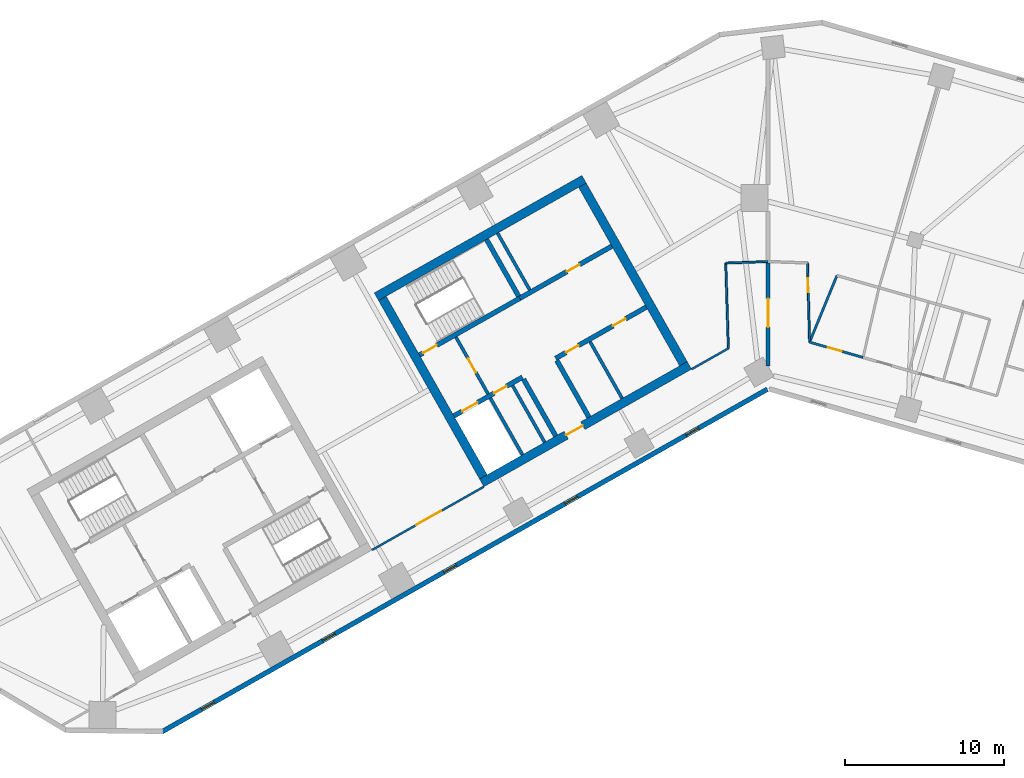
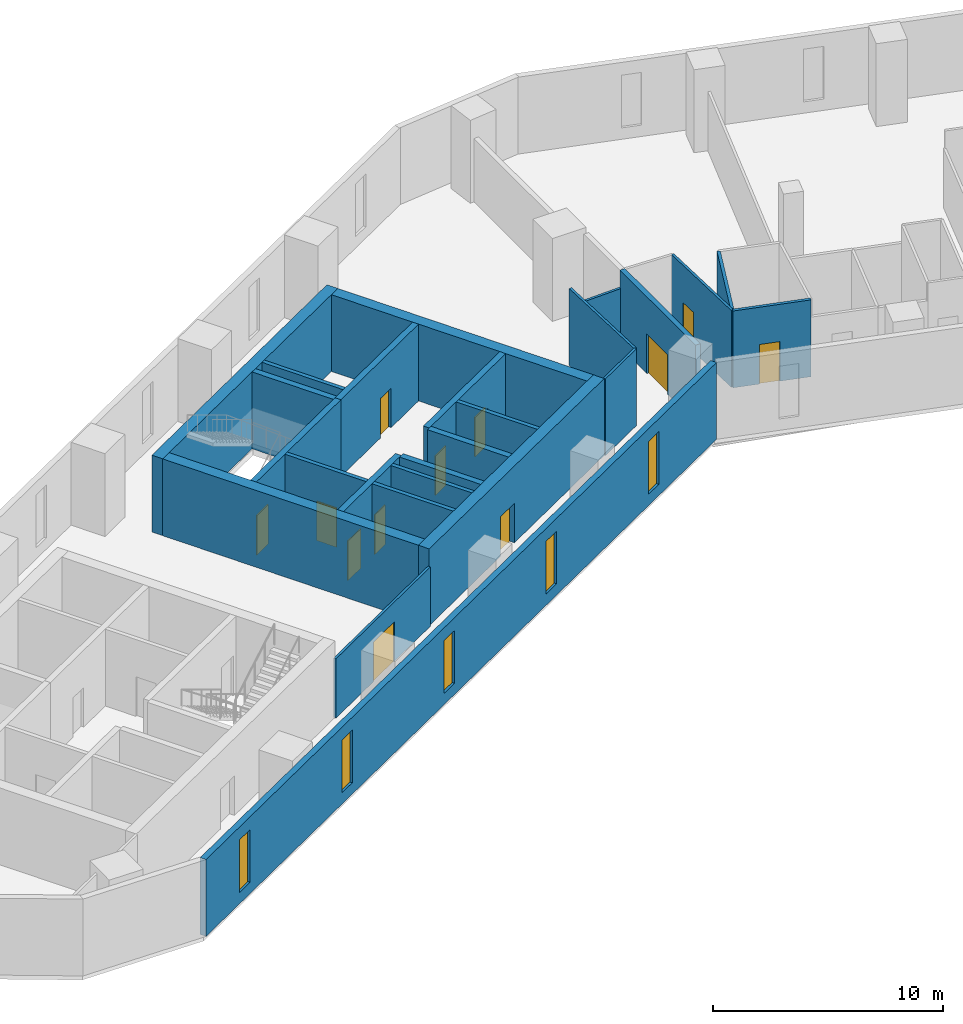
# One storey, part 4 of 10: 25 walls, 12 doors, 5 windows, 17 openings.
"""IFC4 building model written with IfcOpenShell, lengths in metres."""

from ifc_helpers import new_model, si_unit, direction, frame, frame_2d, origin, place, context, subcontext, project, spatial, rectangle, extrude, material, layer, layer_set, type_object, element, fill, save


model = new_model("IFC4")

# Units and contexts
model_context = context("Model", 3, precision=1e-05, world=origin(), true_north=direction((0.0, 1.0)))
body_context = subcontext(model_context, "Body", "Model", "MODEL_VIEW")
ifc_project = project(units=[si_unit("LENGTHUNIT", "METRE"), si_unit("AREAUNIT", "SQUARE_METRE"), si_unit("VOLUMEUNIT", "CUBIC_METRE"), si_unit("PLANEANGLEUNIT", "RADIAN"), si_unit("MASSUNIT", "GRAM", prefix="KILO")], contexts=[model_context])

# Site, building, storey
site_placement = place(None, origin())
site = spatial("IfcSite", under=ifc_project, at=site_placement, CompositionType="ELEMENT")
building_placement = place(site_placement, origin())
building = spatial("IfcBuilding", under=site, at=building_placement, Name="Binnacle Exchange Tower", CompositionType="ELEMENT")
storey_placement = place(building_placement, frame((0.0, 0.0, 119.10009765625)))
storey = spatial("IfcBuildingStorey", under=building, at=storey_placement, Name="L24", CompositionType="ELEMENT", Elevation=119.10009765625)

# Wall
ifc_material_1 = material(Name="Gypsum partition fire rated")
ifc_layer_1 = layer(ifc_material_1, 0.199951171875)
ifc_layer_set_1 = layer_set([ifc_layer_1], Name="Core partition 200")
wall_type_1 = type_object("IfcWallType", Name="Core partition 200", PredefinedType="PARTITIONING", material=ifc_layer_set_1)
wall_1_placement = place(storey_placement, frame((-11.201904296875, 50.96240234375, 0.0), z_axis=(0.0, 0.0, 1.0), x_axis=(0.492428039142, -0.870353161807, 0.0)))
element("IfcWall", 1, at=wall_1_placement, inside=storey, type_object=wall_type_1, Name="Core wall CRWC19", PredefinedType="PARTITIONING", context=body_context, shape_type="SweptSolid", body=[
    extrude(rectangle(XDim=4.10009765625, YDim=0.199951171875, at=frame_2d((2.050048828125, 0.0))), origin(), (0.0, 0.0, 1.0), 4.079833984375),
])

# Wall, openings, doors
ifc_material_2 = material(Name="Concrete C70/85", Category="concrete")
ifc_layer_2 = layer(ifc_material_2, 0.300048828125)
ifc_layer_set_2 = layer_set([ifc_layer_2], Name="Core wall - front 300")
wall_type_2 = type_object("IfcWallType", Name="Core wall - front 300", PredefinedType="SOLIDWALL", material=ifc_layer_set_2)
wall_2_placement = place(storey_placement, frame((-19.76171875, 46.291748046875, 0.0), z_axis=(0.0, 0.0, 1.0), x_axis=(0.870359758983, 0.49241637863, 0.0)))
wall_2 = element("IfcWall", 2, at=wall_2_placement, inside=storey, type_object=wall_type_2, Name="Core wall CRWC2", PredefinedType="SOLIDWALL", context=body_context, shape_type="SweptSolid", body=[
    extrude(rectangle(XDim=4.9501953125, YDim=0.300048828125, at=frame_2d((2.47509765625, 0.0))), origin(), (0.0, 0.0, 1.0), 4.079833984375),
])
opening_1_placement = place(wall_2_placement, frame((0.60009765625, 0.0, 0.0)))
opening_1 = element("IfcOpeningElement", 3, at=opening_1_placement, cuts=wall_2, Name="Opening LD14", PredefinedType="OPENING", context=body_context, shape_type="SweptSolid", body=[
    extrude(rectangle(XDim=1.10009765625, YDim=2.10009765625, at=frame_2d((0.550048828125, 1.050048828125))), frame((0.0, 0.159912109375, 0.0), z_axis=(0.0, -1.0, 0.0), x_axis=(1.0, 0.0, 0.0)), (0.0, 0.0, 1.0), 0.320068359375),
])
opening_2_placement = place(wall_2_placement, frame((2.89990234375, 0.0, 0.0)))
opening_2 = element("IfcOpeningElement", 4, at=opening_2_placement, cuts=wall_2, Name="Opening DC14", PredefinedType="OPENING", context=body_context, shape_type="SweptSolid", body=[
    extrude(rectangle(XDim=0.89990234375, YDim=2.10009765625, at=frame_2d((0.449951171875, 1.050048828125))), frame((0.0, 0.159912109375, 0.0), z_axis=(0.0, -1.0, 0.0), x_axis=(1.0, 0.0, 0.0)), (0.0, 0.0, 1.0), 0.320068359375),
])
ifc_material_3 = material(Name="Steel door leaf", Category="steel")
door_type_1 = type_object("IfcDoorType", Name="Fire door - lift landing 1100", OperationType="NOTDEFINED", PredefinedType="DOOR", material=ifc_material_3)
door_1_placement = place(opening_1_placement, origin())
door_1 = element("IfcDoor", 5, at=door_1_placement, inside=storey, type_object=door_type_1, Name="Landing door LD14 L24", OperationType="DOUBLE_DOOR_SLIDING", OverallHeight=2.10009765625, OverallWidth=1.10009765625, PredefinedType="DOOR", context=body_context, shape_type="SweptSolid", body=[
    extrude(rectangle(XDim=1.10009765625, YDim=2.10009765625, at=frame_2d((0.550048828125, 1.050048828125))), frame((0.0, 0.02490234375, 0.0), z_axis=(0.0, -1.0, 0.0), x_axis=(1.0, 0.0, 0.0)), (0.0, 0.0, 1.0), 0.050048828125),
])
fill(opening_1, door_1)
door_type_2 = type_object("IfcDoorType", Name="Fire door 900", OperationType="NOTDEFINED", PredefinedType="DOOR", material=ifc_material_3)
door_2_placement = place(opening_2_placement, frame((0.89990234375, 0.0, 0.0), z_axis=(0.0, 0.0, 1.0), x_axis=(-1.0, 0.0, 0.0)))
door_2 = element("IfcDoor", 6, at=door_2_placement, inside=storey, type_object=door_type_2, Name="Core room door UPS CUPBOARD", OperationType="SINGLE_SWING_LEFT", OverallHeight=2.10009765625, OverallWidth=0.89990234375, PredefinedType="DOOR", context=body_context, shape_type="SweptSolid", body=[
    extrude(rectangle(XDim=0.89990234375, YDim=2.10009765625, at=frame_2d((0.449951171875, 1.050048828125))), frame((0.0, 0.02490234375, 0.0), z_axis=(0.0, -1.0, 0.0), x_axis=(1.0, 0.0, 0.0)), (0.0, 0.0, 1.0), 0.050048828125),
])
fill(opening_2, door_2)

wall_3_placement = place(storey_placement, frame((-13.364501953125, 49.910888671875, 0.0), z_axis=(0.0, 0.0, 1.0), x_axis=(0.870336435567, 0.492457601144, 0.0)))
wall_3 = element("IfcWall", 7, at=wall_3_placement, inside=storey, type_object=wall_type_2, Name="Core wall CRWC3", PredefinedType="SOLIDWALL", context=body_context, shape_type="SweptSolid", body=[
    extrude(rectangle(XDim=6.550048828125, YDim=0.300048828125, at=frame_2d((3.27490234375, 0.0))), origin(), (0.0, 0.0, 1.0), 4.079833984375),
])
opening_3_placement = place(wall_3_placement, frame((0.75, 0.0, 0.0)))
opening_3 = element("IfcOpeningElement", 8, at=opening_3_placement, cuts=wall_3, Name="Opening DC18", PredefinedType="OPENING", context=body_context, shape_type="SweptSolid", body=[
    extrude(rectangle(XDim=0.89990234375, YDim=2.10009765625, at=frame_2d((0.449951171875, 1.050048828125))), frame((0.0, 0.159912109375, 0.0), z_axis=(0.0, -1.0, 0.0), x_axis=(1.0, 0.0, 0.0)), (0.0, 0.0, 1.0), 0.320068359375),
])
opening_4_placement = place(wall_3_placement, frame((4.14990234375, 0.0, 0.0)))
opening_4 = element("IfcOpeningElement", 9, at=opening_4_placement, cuts=wall_3, Name="Opening DC19", PredefinedType="OPENING", context=body_context, shape_type="SweptSolid", body=[
    extrude(rectangle(XDim=0.89990234375, YDim=2.10009765625, at=frame_2d((0.449951171875, 1.050048828125))), frame((0.0, 0.159912109375, 0.0), z_axis=(0.0, -1.0, 0.0), x_axis=(1.0, 0.0, 0.0)), (0.0, 0.0, 1.0), 0.320068359375),
])
door_3_placement = place(opening_3_placement, frame((0.89990234375, 0.0, 0.0), z_axis=(0.0, 0.0, 1.0), x_axis=(-1.0, 0.0, 0.0)))
door_3 = element("IfcDoor", 10, at=door_3_placement, inside=storey, type_object=door_type_2, Name="Core room door FIBRE ENTRY ROOM", OperationType="SINGLE_SWING_RIGHT", OverallHeight=2.10009765625, OverallWidth=0.89990234375, PredefinedType="DOOR", context=body_context, shape_type="SweptSolid", body=[
    extrude(rectangle(XDim=0.89990234375, YDim=2.10009765625, at=frame_2d((0.449951171875, 1.050048828125))), frame((0.0, 0.02490234375, 0.0), z_axis=(0.0, -1.0, 0.0), x_axis=(1.0, 0.0, 0.0)), (0.0, 0.0, 1.0), 0.050048828125),
])
fill(opening_3, door_3)
door_4_placement = place(opening_4_placement, frame((0.89990234375, 0.0, 0.0), z_axis=(0.0, 0.0, 1.0), x_axis=(-1.0, 0.0, 0.0)))
door_4 = element("IfcDoor", 11, at=door_4_placement, inside=storey, type_object=door_type_2, Name="Core room door TELECOM RISER ROOM", OperationType="SINGLE_SWING_LEFT", OverallHeight=2.10009765625, OverallWidth=0.89990234375, PredefinedType="DOOR", context=body_context, shape_type="SweptSolid", body=[
    extrude(rectangle(XDim=0.89990234375, YDim=2.10009765625, at=frame_2d((0.449951171875, 1.050048828125))), frame((0.0, 0.02490234375, 0.0), z_axis=(0.0, -1.0, 0.0), x_axis=(1.0, 0.0, 0.0)), (0.0, 0.0, 1.0), 0.050048828125),
])
fill(opening_4, door_4)

# Wall, opening, door
wall_4_placement = place(storey_placement, frame((-15.6181640625, 53.69140625, 0.0), z_axis=(0.0, 0.0, 1.0), x_axis=(0.870367894134, 0.492401999246, 0.0)))
wall_4 = element("IfcWall", 12, at=wall_4_placement, inside=storey, type_object=wall_type_2, Name="Core wall CRWC5", PredefinedType="SOLIDWALL", context=body_context, shape_type="SweptSolid", body=[
    extrude(rectangle(XDim=6.64990234375, YDim=0.300048828125, at=frame_2d((3.324951171875, 0.0))), origin(), (0.0, 0.0, 1.0), 4.079833984375),
])
opening_5_placement = place(wall_4_placement, frame((3.400146484375, 0.0, 0.0)))
opening_5 = element("IfcOpeningElement", 13, at=opening_5_placement, cuts=wall_4, Name="Opening DC10", PredefinedType="OPENING", context=body_context, shape_type="SweptSolid", body=[
    extrude(rectangle(XDim=0.89990234375, YDim=2.10009765625, at=frame_2d((0.449951171875, 1.050048828125))), frame((0.0, 0.159912109375, 0.0), z_axis=(0.0, -1.0, 0.0), x_axis=(1.0, 0.0, 0.0)), (0.0, 0.0, 1.0), 0.320068359375),
])
door_5_placement = place(opening_5_placement, origin())
door_5 = element("IfcDoor", 14, at=door_5_placement, inside=storey, type_object=door_type_2, Name="Core room door WORKSHOP STORE", OperationType="SINGLE_SWING_RIGHT", OverallHeight=2.10009765625, OverallWidth=0.89990234375, PredefinedType="DOOR", context=body_context, shape_type="SweptSolid", body=[
    extrude(rectangle(XDim=0.89990234375, YDim=2.10009765625, at=frame_2d((0.449951171875, 1.050048828125))), frame((0.0, 0.02490234375, 0.0), z_axis=(0.0, -1.0, 0.0), x_axis=(1.0, 0.0, 0.0)), (0.0, 0.0, 1.0), 0.050048828125),
])
fill(opening_5, door_5)

# Walls
wall_5_placement = place(storey_placement, frame((-15.37939453125, 48.5986328125, 0.0), z_axis=(0.0, 0.0, 1.0), x_axis=(0.492408451753, -0.87036424366, 0.0)))
element("IfcWall", 15, at=wall_5_placement, inside=storey, type_object=wall_type_2, Name="Core wall CRWC13", PredefinedType="SOLIDWALL", context=body_context, shape_type="SweptSolid", body=[
    extrude(rectangle(XDim=4.099853515625, YDim=0.300048828125, at=frame_2d((2.0498046875, 0.0))), origin(), (0.0, 0.0, 1.0), 4.079833984375),
])
wall_6_placement = place(storey_placement, frame((-13.29052734375, 49.780517578125, 0.0), z_axis=(0.0, 0.0, 1.0), x_axis=(0.492382931784, -0.870378681085, 0.0)))
element("IfcWall", 16, at=wall_6_placement, inside=storey, type_object=wall_type_2, Name="Core wall CRWC15", PredefinedType="SOLIDWALL", context=body_context, shape_type="SweptSolid", body=[
    extrude(rectangle(XDim=4.10009765625, YDim=0.300048828125, at=frame_2d((2.050048828125, 0.0))), origin(), (0.0, 0.0, 1.0), 4.079833984375),
])

# Wall, opening, door
ifc_layer_3 = layer(ifc_material_2, 0.550048828125)
ifc_layer_set_3 = layer_set([ifc_layer_3], Name="Core wall - outer 550")
wall_type_3 = type_object("IfcWallType", Name="Core wall - outer 550", PredefinedType="SOLIDWALL", material=ifc_layer_set_3)
wall_7_placement = place(storey_placement, frame((-18.01220703125, 42.08251953125, 0.0), z_axis=(0.0, 0.0, 1.0), x_axis=(0.870360574057, 0.492414937962, 0.0)))
wall_7 = element("IfcWall", 17, at=wall_7_placement, inside=storey, type_object=wall_type_3, Name="Core wall CRWC1", PredefinedType="SOLIDWALL", context=body_context, shape_type="SweptSolid", body=[
    extrude(rectangle(XDim=15.0, YDim=0.550048828125, at=frame_2d((7.5, 0.0))), origin(), (0.0, 0.0, 1.0), 4.079833984375),
])
opening_6_placement = place(wall_7_placement, frame((6.10009765625, 0.0, 0.0)))
opening_6 = element("IfcOpeningElement", 18, at=opening_6_placement, cuts=wall_7, Name="Opening DC7", PredefinedType="OPENING", context=body_context, shape_type="SweptSolid", body=[
    extrude(rectangle(XDim=1.199951171875, YDim=2.10009765625, at=frame_2d((0.60009765625, 1.050048828125))), frame((0.0, 0.284912109375, 0.0), z_axis=(0.0, -1.0, 0.0), x_axis=(1.0, 0.0, 0.0)), (0.0, 0.0, 1.0), 0.570068359375),
])
door_type_3 = type_object("IfcDoorType", Name="Fire door 1200", OperationType="NOTDEFINED", PredefinedType="DOOR", material=ifc_material_3)
door_6_placement = place(opening_6_placement, frame((1.199951171875, 0.0, 0.0), z_axis=(0.0, 0.0, 1.0), x_axis=(-1.0, 0.0, 0.0)))
door_6 = element("IfcDoor", 19, at=door_6_placement, inside=storey, type_object=door_type_3, Name="Lift lobby entrance door core C", OperationType="SINGLE_SWING_RIGHT", OverallHeight=2.10009765625, OverallWidth=1.199951171875, PredefinedType="DOOR", context=body_context, shape_type="SweptSolid", body=[
    extrude(rectangle(XDim=1.199951171875, YDim=2.10009765625, at=frame_2d((0.60009765625, 1.050048828125))), frame((0.0, 0.02490234375, 0.0), z_axis=(0.0, -1.0, 0.0), x_axis=(1.0, 0.0, 0.0)), (0.0, 0.0, 1.0), 0.050048828125),
])
fill(opening_6, door_6)

# Walls
wall_8_placement = place(storey_placement, frame((-24.63525390625, 53.788818359375, 0.0), z_axis=(0.0, 0.0, 1.0), x_axis=(0.870360574057, 0.492414937962, 0.0)))
element("IfcWall", 20, at=wall_8_placement, inside=storey, type_object=wall_type_3, Name="Core wall CRWC6", PredefinedType="SOLIDWALL", context=body_context, shape_type="SweptSolid", body=[
    extrude(rectangle(XDim=15.0, YDim=0.550048828125, at=frame_2d((7.5, 0.0))), origin(), (0.0, 0.0, 1.0), 4.079833984375),
])
for number, where, z_axis, x_axis, name in (
    (21, (-24.260498046875, 53.684814453125, 0.0), (0.0, 0.0, 1.0), (0.492427022044, -0.870353737259, 0.0), "Core wall CRWC7"),
    (22, (-11.683837890625, 60.80029296875, 0.0), (0.0, 0.0, 1.0), (0.492427022044, -0.870353737259, 0.0), "Core wall CRWC24"),
):
    element("IfcWall", number, at=place(storey_placement, frame(where, z_axis=z_axis, x_axis=x_axis)), inside=storey, type_object=wall_type_3, Name=name, PredefinedType="SOLIDWALL", context=body_context, shape_type="SweptSolid", body=[
        extrude(rectangle(XDim=12.89990234375, YDim=0.550048828125, at=frame_2d((6.449951171875, 0.0))), origin(), (0.0, 0.0, 1.0), 4.079833984375),
    ])

# Wall, opening, door
ifc_layer_4 = layer(ifc_material_2, 0.300048828125)
ifc_layer_set_4 = layer_set([ifc_layer_4], Name="Core wall - stair 300")
wall_type_4 = type_object("IfcWallType", Name="Core wall - stair 300", PredefinedType="SOLIDWALL", material=ifc_layer_set_4)
wall_9_placement = place(storey_placement, frame((-21.92822265625, 50.12109375, 0.0), z_axis=(0.0, 0.0, 1.0), x_axis=(0.870340732628, 0.49245000673, 0.0)))
wall_9 = element("IfcWall", 23, at=wall_9_placement, inside=storey, type_object=wall_type_4, Name="Core wall CRWC4", PredefinedType="SOLIDWALL", context=body_context, shape_type="SweptSolid", body=[
    extrude(rectangle(XDim=7.25, YDim=0.300048828125, at=frame_2d((3.625, 0.0))), origin(), (0.0, 0.0, 1.0), 4.079833984375),
])
opening_7_placement = place(wall_9_placement, frame((0.25, 0.0, 0.0)))
opening_7 = element("IfcOpeningElement", 24, at=opening_7_placement, cuts=wall_9, Name="Opening DC1", PredefinedType="OPENING", context=body_context, shape_type="SweptSolid", body=[
    extrude(rectangle(XDim=1.0, YDim=2.10009765625, at=frame_2d((0.5, 1.050048828125))), frame((0.0, 0.159912109375, 0.0), z_axis=(0.0, -1.0, 0.0), x_axis=(1.0, 0.0, 0.0)), (0.0, 0.0, 1.0), 0.320068359375),
])
door_type_4 = type_object("IfcDoorType", Name="Fire door 1000", OperationType="NOTDEFINED", PredefinedType="DOOR", material=ifc_material_3)
door_7_placement = place(opening_7_placement, origin())
door_7 = element("IfcDoor", 25, at=door_7_placement, inside=storey, type_object=door_type_4, Name="Stair door ST-C1", OperationType="SINGLE_SWING_LEFT", OverallHeight=2.10009765625, OverallWidth=1.0, PredefinedType="DOOR", context=body_context, shape_type="SweptSolid", body=[
    extrude(rectangle(XDim=1.0, YDim=2.10009765625, at=frame_2d((0.5, 1.050048828125))), frame((0.0, 0.02490234375, 0.0), z_axis=(0.0, -1.0, 0.0), x_axis=(1.0, 0.0, 0.0)), (0.0, 0.0, 1.0), 0.050048828125),
])
fill(opening_7, door_7)

# Wall
wall_10_placement = place(storey_placement, frame((-17.7109375, 57.390380859375, 0.0), z_axis=(0.0, 0.0, 1.0), x_axis=(0.492408451753, -0.87036424366, 0.0)))
element("IfcWall", 26, at=wall_10_placement, inside=storey, type_object=wall_type_4, Name="Core wall CRWC14", PredefinedType="SOLIDWALL", context=body_context, shape_type="SweptSolid", body=[
    extrude(rectangle(XDim=4.099853515625, YDim=0.300048828125, at=frame_2d((2.0498046875, 0.0))), origin(), (0.0, 0.0, 1.0), 4.079833984375),
])

# Wall, openings, windows
ifc_material_4 = material(Name="Bronze aluminium cladding", Category="aluminium")
ifc_layer_5 = layer(ifc_material_4, 0.300048828125)
ifc_layer_set_5 = layer_set([ifc_layer_5], Name="External wall - spandrel 300")
wall_type_5 = type_object("IfcWallType", Name="External wall - spandrel 300", PredefinedType="STANDARD", material=ifc_layer_set_5)
wall_11_placement = place(storey_placement, frame((-0.0546875, 47.968994140625, 0.0), z_axis=(0.0, 0.0, 1.0), x_axis=(-0.870355730478, -0.492423499058, 0.0)))
wall_11 = element("IfcWall", 27, at=wall_11_placement, inside=storey, type_object=wall_type_5, Name="External wall EW-F07 L24", PredefinedType="STANDARD", context=body_context, shape_type="SweptSolid", body=[
    extrude(rectangle(XDim=43.750244140625, YDim=0.300048828125, at=frame_2d((21.875, 0.0))), origin(), (0.0, 0.0, 1.0), 4.079833984375),
])
opening_8_placement = place(wall_11_placement, frame((39.976806640625, 0.0, 0.60009765625)))
opening_8 = element("IfcOpeningElement", 28, at=opening_8_placement, cuts=wall_11, Name="Opening WS2", PredefinedType="OPENING", context=body_context, shape_type="SweptSolid", body=[
    extrude(rectangle(XDim=0.89990234375, YDim=2.800048828125, at=frame_2d((0.449951171875, 1.39990234375))), frame((0.0, 0.159912109375, 0.0), z_axis=(0.0, -1.0, 0.0), x_axis=(1.0, 0.0, 0.0)), (0.0, 0.0, 1.0), 0.320068359375),
])
opening_9_placement = place(wall_11_placement, frame((31.222412109375, 0.0, 0.60009765625)))
opening_9 = element("IfcOpeningElement", 29, at=opening_9_placement, cuts=wall_11, Name="Opening WS2", PredefinedType="OPENING", context=body_context, shape_type="SweptSolid", body=[
    extrude(rectangle(XDim=0.89990234375, YDim=2.800048828125, at=frame_2d((0.449951171875, 1.39990234375))), frame((0.0, 0.159912109375, 0.0), z_axis=(0.0, -1.0, 0.0), x_axis=(1.0, 0.0, 0.0)), (0.0, 0.0, 1.0), 0.320068359375),
])
opening_10_placement = place(wall_11_placement, frame((22.4677734375, 0.0, 0.60009765625)))
opening_10 = element("IfcOpeningElement", 30, at=opening_10_placement, cuts=wall_11, Name="Opening WS2", PredefinedType="OPENING", context=body_context, shape_type="SweptSolid", body=[
    extrude(rectangle(XDim=0.89990234375, YDim=2.800048828125, at=frame_2d((0.449951171875, 1.39990234375))), frame((0.0, 0.159912109375, 0.0), z_axis=(0.0, -1.0, 0.0), x_axis=(1.0, 0.0, 0.0)), (0.0, 0.0, 1.0), 0.320068359375),
])
opening_11_placement = place(wall_11_placement, frame((13.713134765625, 0.0, 0.60009765625)))
opening_11 = element("IfcOpeningElement", 31, at=opening_11_placement, cuts=wall_11, Name="Opening WS2", PredefinedType="OPENING", context=body_context, shape_type="SweptSolid", body=[
    extrude(rectangle(XDim=0.89990234375, YDim=2.800048828125, at=frame_2d((0.449951171875, 1.39990234375))), frame((0.0, 0.159912109375, 0.0), z_axis=(0.0, -1.0, 0.0), x_axis=(1.0, 0.0, 0.0)), (0.0, 0.0, 1.0), 0.320068359375),
])
opening_12_placement = place(wall_11_placement, frame((4.958740234375, 0.0, 0.60009765625)))
opening_12 = element("IfcOpeningElement", 32, at=opening_12_placement, cuts=wall_11, Name="Opening WS2", PredefinedType="OPENING", context=body_context, shape_type="SweptSolid", body=[
    extrude(rectangle(XDim=0.89990234375, YDim=2.800048828125, at=frame_2d((0.449951171875, 1.39990234375))), frame((0.0, 0.159912109375, 0.0), z_axis=(0.0, -1.0, 0.0), x_axis=(1.0, 0.0, 0.0)), (0.0, 0.0, 1.0), 0.320068359375),
])
ifc_material_5 = material(Name="Bronze anodised aluminium frame", Category="aluminium")
window_type = type_object("IfcWindowType", Name="WS2 WINDOW 900x2800", PartitioningType="SINGLE_PANEL", PredefinedType="WINDOW", material=ifc_material_5)
window_1_placement = place(opening_8_placement, origin())
window_1 = element("IfcWindow", 33, at=window_1_placement, inside=storey, type_object=window_type, Name="Window WS2 L24", OverallHeight=2.800048828125, OverallWidth=0.89990234375, PartitioningType="SINGLE_PANEL", PredefinedType="WINDOW", context=body_context, shape_type="SweptSolid", body=[
    extrude(rectangle(XDim=0.89990234375, YDim=2.800048828125, at=frame_2d((0.449951171875, 1.39990234375))), frame((0.0, 0.030029296875, 0.0), z_axis=(0.0, -1.0, 0.0), x_axis=(1.0, 0.0, 0.0)), (0.0, 0.0, 1.0), 0.06005859375),
])
fill(opening_8, window_1)
window_2_placement = place(opening_9_placement, origin())
window_2 = element("IfcWindow", 34, at=window_2_placement, inside=storey, type_object=window_type, Name="Window WS2 L24", OverallHeight=2.800048828125, OverallWidth=0.89990234375, PartitioningType="SINGLE_PANEL", PredefinedType="WINDOW", context=body_context, shape_type="SweptSolid", body=[
    extrude(rectangle(XDim=0.89990234375, YDim=2.800048828125, at=frame_2d((0.449951171875, 1.39990234375))), frame((0.0, 0.030029296875, 0.0), z_axis=(0.0, -1.0, 0.0), x_axis=(1.0, 0.0, 0.0)), (0.0, 0.0, 1.0), 0.06005859375),
])
fill(opening_9, window_2)
window_3_placement = place(opening_10_placement, origin())
window_3 = element("IfcWindow", 35, at=window_3_placement, inside=storey, type_object=window_type, Name="Window WS2 L24", OverallHeight=2.800048828125, OverallWidth=0.89990234375, PartitioningType="SINGLE_PANEL", PredefinedType="WINDOW", context=body_context, shape_type="SweptSolid", body=[
    extrude(rectangle(XDim=0.89990234375, YDim=2.800048828125, at=frame_2d((0.449951171875, 1.39990234375))), frame((0.0, 0.030029296875, 0.0), z_axis=(0.0, -1.0, 0.0), x_axis=(1.0, 0.0, 0.0)), (0.0, 0.0, 1.0), 0.06005859375),
])
fill(opening_10, window_3)
window_4_placement = place(opening_11_placement, origin())
window_4 = element("IfcWindow", 36, at=window_4_placement, inside=storey, type_object=window_type, Name="Window WS2 L24", OverallHeight=2.800048828125, OverallWidth=0.89990234375, PartitioningType="SINGLE_PANEL", PredefinedType="WINDOW", context=body_context, shape_type="SweptSolid", body=[
    extrude(rectangle(XDim=0.89990234375, YDim=2.800048828125, at=frame_2d((0.449951171875, 1.39990234375))), frame((0.0, 0.030029296875, 0.0), z_axis=(0.0, -1.0, 0.0), x_axis=(1.0, 0.0, 0.0)), (0.0, 0.0, 1.0), 0.06005859375),
])
fill(opening_11, window_4)
window_5_placement = place(opening_12_placement, origin())
window_5 = element("IfcWindow", 37, at=window_5_placement, inside=storey, type_object=window_type, Name="Window WS2 L24", OverallHeight=2.800048828125, OverallWidth=0.89990234375, PartitioningType="SINGLE_PANEL", PredefinedType="WINDOW", context=body_context, shape_type="SweptSolid", body=[
    extrude(rectangle(XDim=0.89990234375, YDim=2.800048828125, at=frame_2d((0.449951171875, 1.39990234375))), frame((0.0, 0.030029296875, 0.0), z_axis=(0.0, -1.0, 0.0), x_axis=(1.0, 0.0, 0.0)), (0.0, 0.0, 1.0), 0.06005859375),
])
fill(opening_12, window_5)

# Wall, opening, door
ifc_material_6 = material(Name="Concrete fire wall C30/37", Category="concrete")
ifc_layer_6 = layer(ifc_material_6, 0.25)
ifc_layer_set_6 = layer_set([ifc_layer_6], Name="Fire wall - compartment 250")
wall_type_6 = type_object("IfcWallType", Name="Fire wall - compartment 250", PredefinedType="PARTITIONING", material=ifc_layer_set_6)
wall_12_placement = place(storey_placement, frame((0.0, 49.422119140625, 0.0), z_axis=(0.0, 0.0, 1.0), x_axis=(0.0, 1.0, 0.0)))
wall_12 = element("IfcWall", 38, at=wall_12_placement, inside=storey, type_object=wall_type_6, Name="Fire Wall W08", PredefinedType="PARTITIONING", context=body_context, shape_type="SweptSolid", body=[
    extrude(rectangle(XDim=6.577880859375, YDim=0.25, at=frame_2d((3.2890625, 0.0))), origin(), (0.0, 0.0, 1.0), 4.079833984375),
])
opening_13_placement = place(wall_12_placement, frame((2.449951171875, 0.0, 0.0)))
opening_13 = element("IfcOpeningElement", 39, at=opening_13_placement, cuts=wall_12, Name="Opening DL22-12", PredefinedType="OPENING", context=body_context, shape_type="SweptSolid", body=[
    extrude(rectangle(XDim=1.800048828125, YDim=2.10009765625, at=frame_2d((0.89990234375, 1.050048828125))), frame((0.0, 0.135009765625, 0.0), z_axis=(0.0, -1.0, 0.0), x_axis=(1.0, 0.0, 0.0)), (0.0, 0.0, 1.0), 0.27001953125),
])
door_type_5 = type_object("IfcDoorType", Name="Fire door 1800", OperationType="NOTDEFINED", PredefinedType="DOOR", material=ifc_material_3)
door_8_placement = place(opening_13_placement, origin())
door_8 = element("IfcDoor", 40, at=door_8_placement, inside=storey, type_object=door_type_5, Name="Door DL22-12", OperationType="DOUBLE_DOOR_SINGLE_SWING", OverallHeight=2.10009765625, OverallWidth=1.800048828125, PredefinedType="DOOR", context=body_context, shape_type="SweptSolid", body=[
    extrude(rectangle(XDim=1.800048828125, YDim=2.10009765625, at=frame_2d((0.89990234375, 1.050048828125))), frame((0.0, 0.02490234375, 0.0), z_axis=(0.0, -1.0, 0.0), x_axis=(1.0, 0.0, 0.0)), (0.0, 0.0, 1.0), 0.050048828125),
])
fill(opening_13, door_8)

ifc_material_7 = material(Name="Masonry block wall", Category="masonry")
ifc_layer_7 = layer(ifc_material_7, 0.199951171875)
ifc_layer_set_7 = layer_set([ifc_layer_7], Name="Fire wall - vestibule 200")
wall_type_7 = type_object("IfcWallType", Name="Fire wall - vestibule 200", PredefinedType="PARTITIONING", material=ifc_layer_set_7)
wall_13_placement = place(storey_placement, frame((-19.635009765625, 51.246337890625, 0.0), z_axis=(0.0, 0.0, 1.0), x_axis=(0.492408451753, -0.87036424366, 0.0)))
wall_13 = element("IfcWall", 41, at=wall_13_placement, inside=storey, type_object=wall_type_7, Name="Core wall CRWC10", PredefinedType="PARTITIONING", context=body_context, shape_type="SweptSolid", body=[
    extrude(rectangle(XDim=4.099853515625, YDim=0.199951171875, at=frame_2d((2.0498046875, 0.0))), origin(), (0.0, 0.0, 1.0), 4.079833984375),
])
opening_14_placement = place(wall_13_placement, frame((1.550048828125, 0.0, 0.0)))
opening_14 = element("IfcOpeningElement", 42, at=opening_14_placement, cuts=wall_13, Name="Opening DC3", PredefinedType="OPENING", context=body_context, shape_type="SweptSolid", body=[
    extrude(rectangle(XDim=1.0, YDim=2.10009765625, at=frame_2d((0.5, 1.050048828125))), frame((0.0, 0.10986328125, 0.0), z_axis=(0.0, -1.0, 0.0), x_axis=(1.0, 0.0, 0.0)), (0.0, 0.0, 1.0), 0.219970703125),
])
door_9_placement = place(opening_14_placement, frame((1.0, 0.0, 0.0), z_axis=(0.0, 0.0, 1.0), x_axis=(-1.0, 0.0, 0.0)))
door_9 = element("IfcDoor", 43, at=door_9_placement, inside=storey, type_object=door_type_4, Name="Vestibule door VEST-W", OperationType="SINGLE_SWING_RIGHT", OverallHeight=2.10009765625, OverallWidth=1.0, PredefinedType="DOOR", context=body_context, shape_type="SweptSolid", body=[
    extrude(rectangle(XDim=1.0, YDim=2.10009765625, at=frame_2d((0.5, 1.050048828125))), frame((0.0, 0.02490234375, 0.0), z_axis=(0.0, -1.0, 0.0), x_axis=(1.0, 0.0, 0.0)), (0.0, 0.0, 1.0), 0.050048828125),
])
fill(opening_14, door_9)

# Wall
ifc_layer_8 = layer(ifc_material_1, 0.14990234375)
ifc_layer_set_8 = layer_set([ifc_layer_8], Name="Fire-rated partition 150")
wall_type_8 = type_object("IfcWallType", Name="Fire-rated partition 150", PredefinedType="PARTITIONING", material=ifc_layer_set_8)
wall_14_placement = place(storey_placement, frame((2.60107421875, 50.931884765625, 0.0), z_axis=(0.0, 0.0, 1.0), x_axis=(0.380066317543, 0.924959239247, 0.0)))
element("IfcWall", 44, at=wall_14_placement, inside=storey, type_object=wall_type_8, Name="Partition W13", PredefinedType="PARTITIONING", context=body_context, shape_type="SweptSolid", body=[
    extrude(rectangle(XDim=4.528076171875, YDim=0.14990234375, at=frame_2d((2.26416015625, 0.0))), origin(), (0.0, 0.0, 1.0), 4.079833984375),
])

# Wall, opening, door
wall_15_placement = place(storey_placement, frame((2.60107421875, 50.931884765625, 0.0), z_axis=(0.0, 0.0, 1.0), x_axis=(0.961265606965, -0.27562371608, 0.0)))
wall_15 = element("IfcWall", 45, at=wall_15_placement, inside=storey, type_object=wall_type_8, Name="Partition W14", PredefinedType="PARTITIONING", context=body_context, shape_type="SweptSolid", body=[
    extrude(rectangle(XDim=3.50048828125, YDim=0.14990234375, at=frame_2d((1.750244140625, 0.0))), origin(), (0.0, 0.0, 1.0), 4.079833984375),
])
opening_15_placement = place(wall_15_placement, frame((1.199951171875, 0.0, 0.0)))
opening_15 = element("IfcOpeningElement", 46, at=opening_15_placement, cuts=wall_15, Name="Opening DL22-03", PredefinedType="OPENING", context=body_context, shape_type="SweptSolid", body=[
    extrude(rectangle(XDim=0.89990234375, YDim=2.10009765625, at=frame_2d((0.449951171875, 1.050048828125))), frame((0.0, 0.0849609375, 0.0), z_axis=(0.0, -1.0, 0.0), x_axis=(1.0, 0.0, 0.0)), (0.0, 0.0, 1.0), 0.169921875),
])
door_10_placement = place(opening_15_placement, origin())
door_10 = element("IfcDoor", 47, at=door_10_placement, inside=storey, type_object=door_type_2, Name="Door DL22-03", OperationType="SINGLE_SWING_LEFT", OverallHeight=2.10009765625, OverallWidth=0.89990234375, PredefinedType="DOOR", context=body_context, shape_type="SweptSolid", body=[
    extrude(rectangle(XDim=0.89990234375, YDim=2.10009765625, at=frame_2d((0.449951171875, 1.050048828125))), frame((0.0, 0.02490234375, 0.0), z_axis=(0.0, -1.0, 0.0), x_axis=(1.0, 0.0, 0.0)), (0.0, 0.0, 1.0), 0.050048828125),
])
fill(opening_15, door_10)

ifc_material_8 = material(Name="Gypsum partition")
ifc_layer_9 = layer(ifc_material_8, 0.125)
ifc_layer_set_9 = layer_set([ifc_layer_9], Name="Partition 125")
wall_type_9 = type_object("IfcWallType", Name="Partition 125", PredefinedType="PARTITIONING", material=ifc_layer_set_9)
wall_16_placement = place(storey_placement, frame((-24.9189453125, 37.85888671875, 0.0), z_axis=(0.0, 0.0, 1.0), x_axis=(0.870357635969, 0.492420131098, 0.0)))
wall_16 = element("IfcWall", 48, at=wall_16_placement, inside=storey, type_object=wall_type_9, Name="Partition W04", PredefinedType="PARTITIONING", context=body_context, shape_type="SweptSolid", body=[
    extrude(rectangle(XDim=8.0908203125, YDim=0.125, at=frame_2d((4.04541015625, 0.0))), origin(), (0.0, 0.0, 1.0), 3.14794921875),
])
opening_16_placement = place(wall_16_placement, frame((3.199951171875, 0.0, 0.0)))
opening_16 = element("IfcOpeningElement", 49, at=opening_16_placement, cuts=wall_16, Name="Opening DL22-02", PredefinedType="OPENING", context=body_context, shape_type="SweptSolid", body=[
    extrude(rectangle(XDim=1.800048828125, YDim=2.10009765625, at=frame_2d((0.89990234375, 1.050048828125))), frame((0.0, 0.072509765625, 0.0), z_axis=(0.0, -1.0, 0.0), x_axis=(1.0, 0.0, 0.0)), (0.0, 0.0, 1.0), 0.14501953125),
])
ifc_material_9 = material(Name="Timber door leaf", Category="wood")
door_type_6 = type_object("IfcDoorType", Name="Double door 1800", OperationType="NOTDEFINED", PredefinedType="DOOR", material=ifc_material_9)
door_11_placement = place(opening_16_placement, origin())
door_11 = element("IfcDoor", 50, at=door_11_placement, inside=storey, type_object=door_type_6, Name="Door DL22-02", OperationType="DOUBLE_DOOR_SINGLE_SWING", OverallHeight=2.10009765625, OverallWidth=1.800048828125, PredefinedType="DOOR", context=body_context, shape_type="SweptSolid", body=[
    extrude(rectangle(XDim=1.800048828125, YDim=2.10009765625, at=frame_2d((0.89990234375, 1.050048828125))), frame((0.0, 0.02490234375, 0.0), z_axis=(0.0, -1.0, 0.0), x_axis=(1.0, 0.0, 0.0)), (0.0, 0.0, 1.0), 0.050048828125),
])
fill(opening_16, door_11)

# Walls
wall_17_placement = place(storey_placement, frame((-4.821044921875, 49.22998046875, 0.0), z_axis=(0.0, 0.0, 1.0), x_axis=(0.870371217631, 0.492396124598, 0.0)))
element("IfcWall", 51, at=wall_17_placement, inside=storey, type_object=wall_type_9, Name="Partition W05", PredefinedType="PARTITIONING", context=body_context, shape_type="SweptSolid", body=[
    extrude(rectangle(XDim=2.65869140625, YDim=0.125, at=frame_2d((1.329345703125, 0.0))), origin(), (0.0, 0.0, 1.0), 4.079833984375),
])
wall_18_placement = place(storey_placement, frame((-2.669921875, 55.904052734375, 0.0), z_axis=(0.0, 0.0, 1.0), x_axis=(0.030338701418, -0.999539675649, 0.0)))
element("IfcWall", 52, at=wall_18_placement, inside=storey, type_object=wall_type_9, Name="Partition W06", PredefinedType="PARTITIONING", context=body_context, shape_type="SweptSolid", body=[
    extrude(rectangle(XDim=5.367431640625, YDim=0.125, at=frame_2d((2.68359375, 0.0))), origin(), (0.0, 0.0, 1.0), 4.079833984375),
])
wall_19_placement = place(storey_placement, frame((-2.669921875, 55.904052734375, 0.0), z_axis=(0.0, 0.0, 1.0), x_axis=(0.999354913865, 0.03591317494, 0.0)))
element("IfcWall", 53, at=wall_19_placement, inside=storey, type_object=wall_type_9, Name="Partition W07", PredefinedType="PARTITIONING", context=body_context, shape_type="SweptSolid", body=[
    extrude(rectangle(XDim=2.671630859375, YDim=0.125, at=frame_2d((1.3359375, 0.0))), origin(), (0.0, 0.0, 1.0), 3.141845703125),
])

# Wall, opening, door
wall_20_placement = place(storey_placement, frame((2.468994140625, 55.910888671875, 0.0), z_axis=(0.0, 0.0, 1.0), x_axis=(0.02651808123, -0.999648333849, 0.0)))
wall_20 = element("IfcWall", 54, at=wall_20_placement, inside=storey, type_object=wall_type_9, Name="Partition W12", PredefinedType="PARTITIONING", context=body_context, shape_type="SweptSolid", body=[
    extrude(rectangle(XDim=4.980712890625, YDim=0.125, at=frame_2d((2.490234375, 0.0))), origin(), (0.0, 0.0, 1.0), 4.079833984375),
])
opening_17_placement = place(wall_20_placement, frame((0.949951171875, 0.0, 0.0)))
opening_17 = element("IfcOpeningElement", 55, at=opening_17_placement, cuts=wall_20, Name="Opening DL22-07", PredefinedType="OPENING", context=body_context, shape_type="SweptSolid", body=[
    extrude(rectangle(XDim=0.89990234375, YDim=2.10009765625, at=frame_2d((0.449951171875, 1.050048828125))), frame((0.0, 0.072509765625, 0.0), z_axis=(0.0, -1.0, 0.0), x_axis=(1.0, 0.0, 0.0)), (0.0, 0.0, 1.0), 0.14501953125),
])
door_type_7 = type_object("IfcDoorType", Name="Door 900", OperationType="NOTDEFINED", PredefinedType="DOOR", material=ifc_material_9)
door_12_placement = place(opening_17_placement, origin())
door_12 = element("IfcDoor", 56, at=door_12_placement, inside=storey, type_object=door_type_7, Name="Door DL22-07", OperationType="SINGLE_SWING_LEFT", OverallHeight=2.10009765625, OverallWidth=0.89990234375, PredefinedType="DOOR", context=body_context, shape_type="SweptSolid", body=[
    extrude(rectangle(XDim=0.89990234375, YDim=2.10009765625, at=frame_2d((0.449951171875, 1.050048828125))), frame((0.0, 0.02490234375, 0.0), z_axis=(0.0, -1.0, 0.0), x_axis=(1.0, 0.0, 0.0)), (0.0, 0.0, 1.0), 0.050048828125),
])
fill(opening_17, door_12)

# Walls
ifc_layer_10 = layer(ifc_material_7, 0.199951171875)
ifc_layer_set_10 = layer_set([ifc_layer_10], Name="Riser wall 200")
wall_type_10 = type_object("IfcWallType", Name="Riser wall 200", PredefinedType="SOLIDWALL", material=ifc_layer_set_10)
for number, where, z_axis, x_axis, name in (
    (57, (-16.07568359375, 48.20458984375, 0.0), (0.0, 0.0, 1.0), (0.492408451753, -0.87036424366, 0.0), "Core wall CRWC12"),
    (58, (-17.0146484375, 57.7841796875, 0.0), (0.0, 0.0, 1.0), (0.492408451753, -0.87036424366, 0.0), "Core wall CRWC16"),
):
    element("IfcWall", number, at=place(storey_placement, frame(where, z_axis=z_axis, x_axis=x_axis)), inside=storey, type_object=wall_type_10, Name=name, PredefinedType="SOLIDWALL", context=body_context, shape_type="SweptSolid", body=[
        extrude(rectangle(XDim=4.099853515625, YDim=0.199951171875, at=frame_2d((2.0498046875, 0.0))), origin(), (0.0, 0.0, 1.0), 4.079833984375),
    ])
ifc_layer_11 = layer(ifc_material_7, 0.199951171875)
ifc_layer_set_11 = layer_set([ifc_layer_11], Name="Shaft wall 200")
wall_type_11 = type_object("IfcWallType", Name="Shaft wall 200", PredefinedType="SOLIDWALL", material=ifc_layer_set_11)
wall_21_placement = place(storey_placement, frame((-17.468505859375, 47.416748046875, 0.0), z_axis=(0.0, 0.0, 1.0), x_axis=(0.492453559952, -0.87033872216, 0.0)))
element("IfcWall", 59, at=wall_21_placement, inside=storey, type_object=wall_type_11, Name="Core wall CRWC9", PredefinedType="SOLIDWALL", context=body_context, shape_type="SweptSolid", body=[
    extrude(rectangle(XDim=4.099853515625, YDim=0.199951171875, at=frame_2d((2.0498046875, 0.0))), origin(), (0.0, 0.0, 1.0), 4.079833984375),
])

save(model, "model.ifc")
